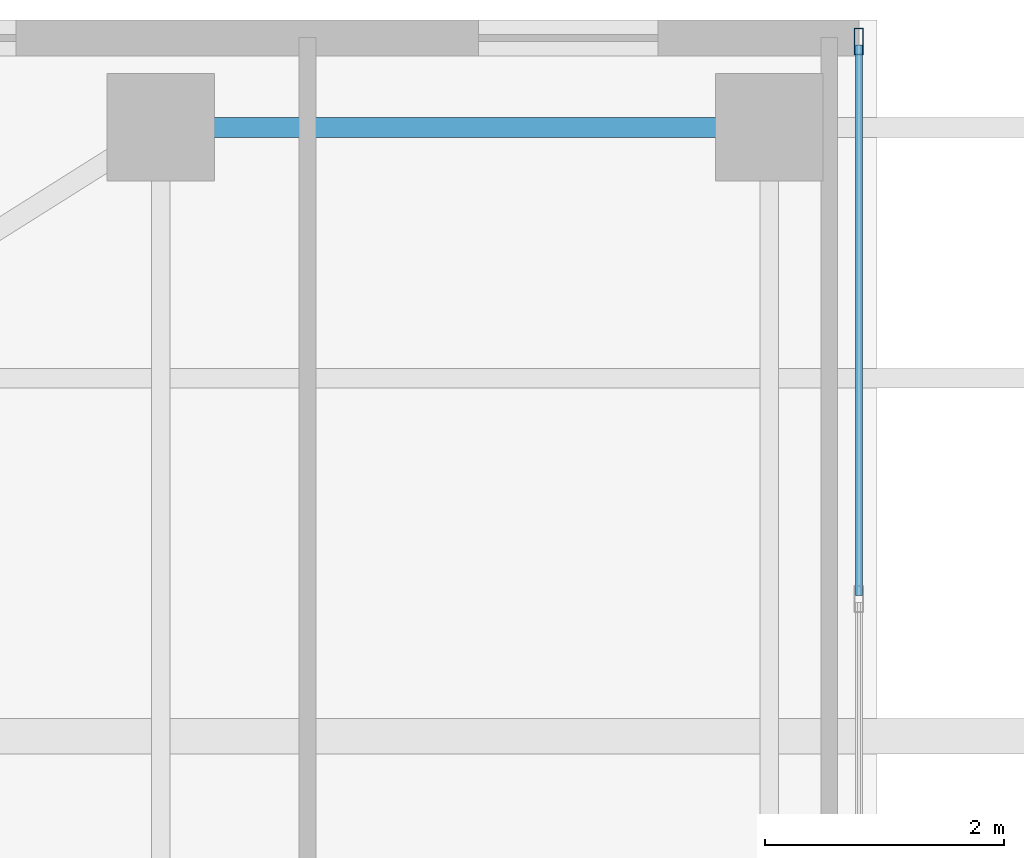
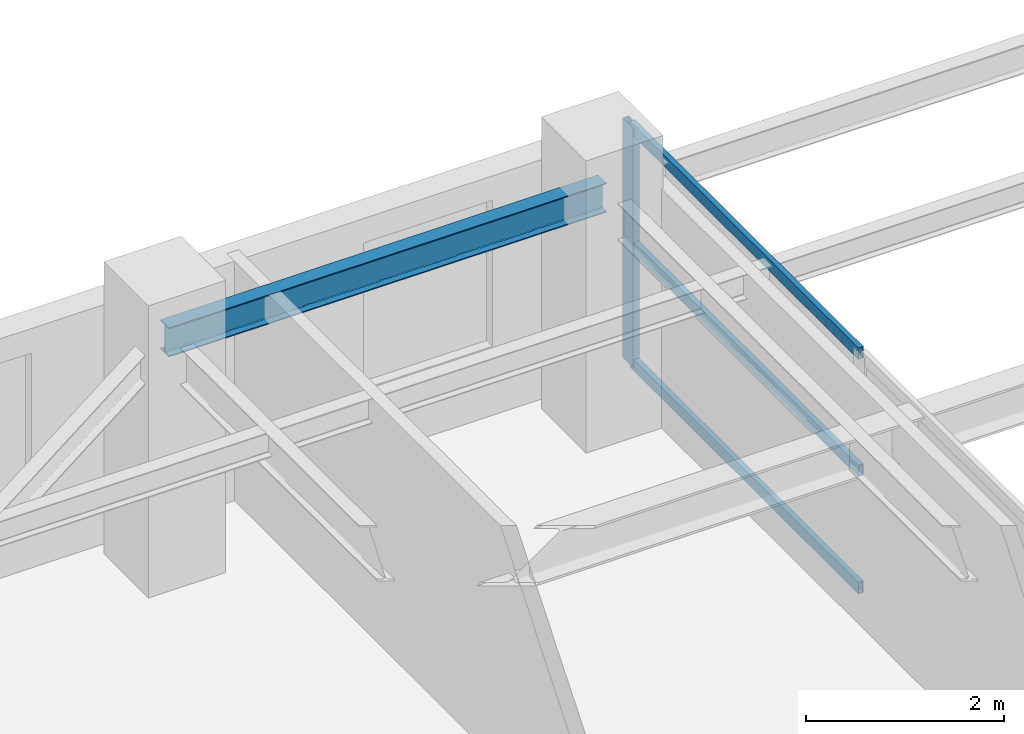
# One storey, part 14 of 21: 4 members, 1 beam, 1 element without a shape of its own.
"""IFC4 building model written with IfcOpenShell, lengths in metres."""

from ifc_helpers import new_model, si_unit, direction, frame, origin, origin_2d, place, context, subcontext, project, spatial, hollow_rectangle, i_section, extrude, source, transform, mapped, material, layer, layer_set, material_profile, profile_set, type_object, element, aggregate, save


model = new_model("IFC4")

# Units and contexts
model_context = context("Model", 3, precision=1e-05, world=origin(), true_north=direction((0.0, 1.0)))
body_context = subcontext(model_context, "Body", "Model", "MODEL_VIEW")
ifc_project = project(units=[si_unit("LENGTHUNIT", "METRE"), si_unit("AREAUNIT", "SQUARE_METRE"), si_unit("VOLUMEUNIT", "CUBIC_METRE"), si_unit("PLANEANGLEUNIT", "RADIAN"), si_unit("MASSUNIT", "GRAM", prefix="KILO")], contexts=[model_context])

# Site, building, storey
site_placement = place(None, origin())
site = spatial("IfcSite", under=ifc_project, at=site_placement, CompositionType="ELEMENT")
building_placement = place(site_placement, origin())
building = spatial("IfcBuilding", under=site, at=building_placement, Name="Khoralis Quay Care Tower", CompositionType="ELEMENT")
storey_placement = place(building_placement, frame((0.0, 0.0, 213.300048828125)))
storey = spatial("IfcBuildingStorey", under=building, at=storey_placement, Name="L56", CompositionType="ELEMENT", Elevation=213.300048828125)

# Beam
ifc_material_1 = material(Name="Steel S355", Category="steel")
ifc_material_profile_1 = material_profile(ifc_material_1, i_section(OverallWidth=0.169921875, OverallDepth=0.360107421875, WebThickness=0.008056640625, FlangeThickness=0.0126953125, FilletRadius=0.01806640625, at=origin_2d()), Name="Steel S355")
ifc_profile_set_1 = profile_set([ifc_material_profile_1], Name="Steel S355")
beam_type = type_object("IfcBeamType", Name="BM-IPE360", PredefinedType="SPANDREL", material=ifc_profile_set_1)
shared_shape_1 = source(origin(), body_context, "Body", "SweptSolid", [
    extrude(i_section(OverallWidth=0.169921875, OverallDepth=0.360107421875, WebThickness=0.008056640625, FlangeThickness=0.0126953125, FilletRadius=0.01806640625, at=origin_2d()), origin(), (0.0, 0.0, 1.0), 5.10009765625),
])
beam_placement = place(storey_placement, frame((12.0, 41.10009765625, 2.77001953125), z_axis=(1.0, 0.0, 0.0), x_axis=(0.0, 1.0, 0.0)))
element("IfcBeam", 1, at=beam_placement, inside=storey, type_object=beam_type, Name="BM-TSP-L56-04", PredefinedType="SPANDREL", context=body_context, shape_type="MappedRepresentation", body=[
    mapped(shared_shape_1, transform((0.0, 0.0, 0.0), scale=1.0)),
])

# Curtain wall, members
ifc_material_2 = material(Name="Pale anodised aluminium", Category="aluminium")
ifc_layer = layer(ifc_material_2, 0.18994140625)
ifc_layer_set = layer_set([ifc_layer], Name="Pale anodised aluminium")
curtain_wall_type = type_object("IfcCurtainWallType", Name="CW-SYS-PORTAL", PredefinedType="NOTDEFINED", material=ifc_layer_set)
curtain_wall_placement = place(storey_placement, origin())
curtain_wall = element("IfcCurtainWall", 2, at=curtain_wall_placement, inside=storey, type_object=curtain_wall_type, Name="L56 Unitised Curtain Wall CW-VP-L56-P1-N", PredefinedType="NOTDEFINED")
ifc_material_profile_2 = material_profile(ifc_material_2, hollow_rectangle(XDim=0.06005859375, YDim=0.139892578125, WallThickness=0.00390625, at=origin_2d()), Name="Pale anodised aluminium")
ifc_profile_set_2 = profile_set([ifc_material_profile_2], Name="Pale anodised aluminium")
member_type_1 = type_object("IfcMemberType", Name="CW-TRN-140", PredefinedType="USERDEFINED", material=ifc_profile_set_2)
shared_shape_2 = source(origin(), body_context, "Body", "SweptSolid", [
    extrude(hollow_rectangle(XDim=0.06005859375, YDim=0.139892578125, WallThickness=0.00390625, at=origin_2d()), origin(), (0.0, 0.0, 1.0), 4.610107421875),
])
member_1_placement = place(storey_placement, frame((17.85009765625, 37.179931640625, 0.030029296875), z_axis=(0.0, 1.0, 0.0), x_axis=(-1.0, 0.0, 0.0)))
member_1 = element("IfcMember", 3, at=member_1_placement, type_object=member_type_1, Name="CW4 transom 3.1", ObjectType="TRANSOM", PredefinedType="USERDEFINED", context=body_context, shape_type="MappedRepresentation", body=[
    mapped(shared_shape_2, transform((0.0, 0.0, 0.0), scale=1.0)),
])
member_2_placement = place(storey_placement, frame((17.85009765625, 37.179931640625, 1.474853515625), z_axis=(0.0, 1.0, 0.0), x_axis=(-1.0, 0.0, 0.0)))
member_2 = element("IfcMember", 4, at=member_2_placement, type_object=member_type_1, Name="CW4 transom 3.2", ObjectType="TRANSOM", PredefinedType="USERDEFINED", context=body_context, shape_type="MappedRepresentation", body=[
    mapped(shared_shape_2, transform((0.0, 0.0, 0.0), scale=1.0)),
])
member_3_placement = place(storey_placement, frame((17.85009765625, 37.179931640625, 2.919921875), z_axis=(0.0, 1.0, 0.0), x_axis=(-1.0, 0.0, 0.0)))
member_3 = element("IfcMember", 5, at=member_3_placement, type_object=member_type_1, Name="CW4 transom 3.3", ObjectType="TRANSOM", PredefinedType="USERDEFINED", context=body_context, shape_type="MappedRepresentation", body=[
    mapped(shared_shape_2, transform((0.0, 0.0, 0.0), scale=1.0)),
])
ifc_material_profile_3 = material_profile(ifc_material_2, hollow_rectangle(XDim=0.074951171875, YDim=0.219970703125, WallThickness=0.00390625, at=origin_2d()), Name="Pale anodised aluminium")
ifc_profile_set_3 = profile_set([ifc_material_profile_3], Name="Pale anodised aluminium")
member_type_2 = type_object("IfcMemberType", Name="CW-MUL-220", PredefinedType="MULLION", material=ifc_profile_set_3)
shared_shape_3 = source(origin(), body_context, "Body", "SweptSolid", [
    extrude(hollow_rectangle(XDim=0.074951171875, YDim=0.219970703125, WallThickness=0.00390625, at=origin_2d()), origin(), (0.0, 0.0, 1.0), 2.949951171875),
])
member_4_placement = place(storey_placement, frame((17.85009765625, 41.820068359375, 0.0), z_axis=(0.0, 0.0, 1.0), x_axis=(-1.0, 0.0, 0.0)))
member_4 = element("IfcMember", 6, at=member_4_placement, type_object=member_type_2, Name="CW4 mullion 4", PredefinedType="MULLION", context=body_context, shape_type="MappedRepresentation", body=[
    mapped(shared_shape_3, transform((0.0, 0.0, 0.0), scale=1.0)),
])
aggregate(curtain_wall, [member_4, member_1, member_2, member_3])

save(model, "model.ifc")
